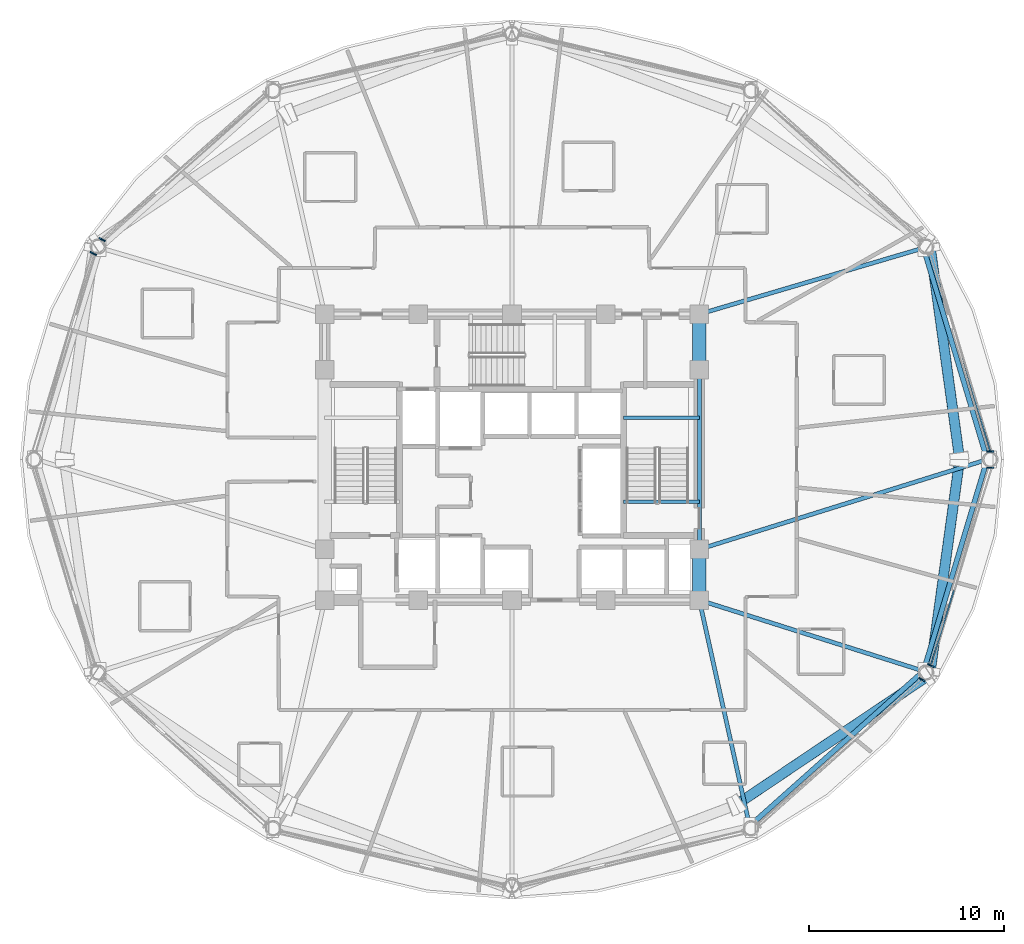
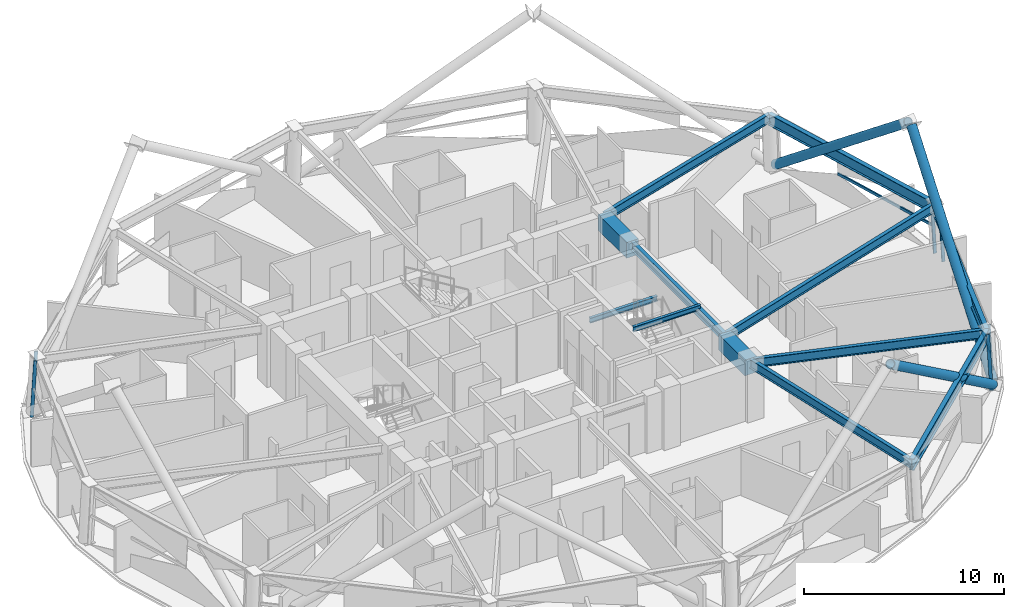
# One storey, part 3 of 13: 12 beams, 11 members, 5 elements without a shape of their own.
"""IFC4 building model written with IfcOpenShell, lengths in metres."""

from ifc_helpers import new_model, si_unit, direction, frame, origin, origin_2d, place, context, subcontext, project, spatial, rectangle, hollow_rectangle, hollow_circle, i_section, extrude, material, layer, layer_set, material_profile, profile_set, type_object, element, aggregate, save


model = new_model("IFC4")

# Units and contexts
model_context = context("Model", 3, precision=1e-05, world=origin(), true_north=direction((0.0, 1.0)))
body_context = subcontext(model_context, "Body", "Model", "MODEL_VIEW")
ifc_project = project(units=[si_unit("LENGTHUNIT", "METRE"), si_unit("AREAUNIT", "SQUARE_METRE"), si_unit("VOLUMEUNIT", "CUBIC_METRE"), si_unit("PLANEANGLEUNIT", "RADIAN"), si_unit("MASSUNIT", "GRAM", prefix="KILO")], contexts=[model_context])

# Site, building, storey
site_placement = place(None, origin())
site = spatial("IfcSite", under=ifc_project, at=site_placement, CompositionType="ELEMENT")
building_placement = place(site_placement, origin())
building = spatial("IfcBuilding", under=site, at=building_placement, Name="Vantalir Tower", CompositionType="ELEMENT")
storey_placement = place(building_placement, frame((0.0, 0.0, 172.199951171875)))
storey = spatial("IfcBuildingStorey", under=building, at=storey_placement, Name="L43", CompositionType="ELEMENT", Elevation=172.199951171875)

# Beams
ifc_material_1 = material(Name="Concrete C60/75", Category="concrete")
ifc_material_profile_1 = material_profile(ifc_material_1, rectangle(XDim=0.699951171875, YDim=0.949951171875, at=origin_2d()), Name="Concrete C60/75")
ifc_profile_set_1 = profile_set([ifc_material_profile_1], Name="Concrete C60/75")
beam_type_1 = type_object("IfcBeamType", Name="BM-CB-700x950", PredefinedType="USERDEFINED", material=ifc_profile_set_1)
beam_1_placement = place(storey_placement, frame((41.10009765625, 17.800048828125, 3.025146484375), z_axis=(0.0, 1.0, 0.0), x_axis=(-1.0, 0.0, 0.0)))
element("IfcBeam", 1, at=beam_1_placement, inside=storey, type_object=beam_type_1, Name="L43 Core Coupling Girder 05", ObjectType="GIRDER", PredefinedType="USERDEFINED", context=body_context, shape_type="SweptSolid", body=[
    extrude(rectangle(XDim=0.699951171875, YDim=0.949951171875, at=origin_2d()), origin(), (0.0, 0.0, 1.0), 2.599853515625),
])
beam_2_placement = place(storey_placement, frame((41.10009765625, 29.60009765625, 3.025146484375), z_axis=(0.0, 1.0, 0.0), x_axis=(-1.0, 0.0, 0.0)))
element("IfcBeam", 2, at=beam_2_placement, inside=storey, type_object=beam_type_1, Name="L43 Core Coupling Girder 07", ObjectType="GIRDER", PredefinedType="USERDEFINED", context=body_context, shape_type="SweptSolid", body=[
    extrude(rectangle(XDim=0.699951171875, YDim=0.949951171875, at=origin_2d()), origin(), (0.0, 0.0, 1.0), 2.849853515625),
])
ifc_material_2 = material(Name="Steel S355", Category="steel")
ifc_material_profile_2 = material_profile(ifc_material_2, i_section(OverallWidth=0.166015625, OverallDepth=0.306884765625, WebThickness=0.006591796875, FlangeThickness=0.01171875, at=origin_2d()), Name="Steel S355")
ifc_profile_set_2 = profile_set([ifc_material_profile_2], Name="Steel S355")
beam_type_2 = type_object("IfcBeamType", Name="BM-JS-305x165", PredefinedType="JOIST", material=ifc_profile_set_2)
for number, where, z_axis, x_axis, name in (
    (3, (37.2099609375, 22.8349609375, 3.595947265625), (1.0, 0.0, 0.0), (0.0, 1.0, 0.0), "L44 Stair ST2 Well Nosing Trimmer Beam"),
    (4, (37.2099609375, 27.14501953125, 1.52197265625), (1.0, 0.0, 0.0), (0.0, 1.0, 0.0), "L43 Stair ST2 Half-Landing Support Beam"),
):
    element("IfcBeam", number, at=place(storey_placement, frame(where, z_axis=z_axis, x_axis=x_axis)), inside=storey, type_object=beam_type_2, Name=name, PredefinedType="JOIST", context=body_context, shape_type="SweptSolid", body=[
        extrude(i_section(OverallWidth=0.166015625, OverallDepth=0.306884765625, WebThickness=0.006591796875, FlangeThickness=0.01171875, at=origin_2d()), origin(), (0.0, 0.0, 1.0), 3.89013671875),
    ])
ifc_material_profile_3 = material_profile(ifc_material_2, i_section(OverallWidth=0.2109375, OverallDepth=0.5390625, WebThickness=0.01171875, FlangeThickness=0.018798828125, at=origin_2d()), Name="Steel S355")
ifc_profile_set_3 = profile_set([ifc_material_profile_3], Name="Steel S355")
beam_type_3 = type_object("IfcBeamType", Name="BM-RB-533x210", PredefinedType="BEAM", material=ifc_profile_set_3)
beam_3_placement = place(storey_placement, frame((41.10009765625, 20.39990234375, 3.22998046875), z_axis=(0.0, 1.0, 0.0), x_axis=(-1.0, 0.0, 0.0)))
element("IfcBeam", 5, at=beam_3_placement, inside=storey, type_object=beam_type_3, Name="L43 Core Coupling Girder 06", PredefinedType="BEAM", context=body_context, shape_type="SweptSolid", body=[
    extrude(i_section(OverallWidth=0.2109375, OverallDepth=0.5390625, WebThickness=0.01171875, FlangeThickness=0.018798828125, at=origin_2d()), origin(), (0.0, 0.0, 1.0), 9.2001953125),
])
beam_4_placement = place(storey_placement, frame((55.85009765625, 25.0, 3.22998046875), z_axis=(-0.954650767625, -0.297727915843, 0.0), x_axis=(0.297727915843, -0.954650767625, 0.0)))
element("IfcBeam", 6, at=beam_4_placement, inside=storey, type_object=beam_type_3, Name="L43 Radial Floor Beam 01", PredefinedType="BEAM", context=body_context, shape_type="SweptSolid", body=[
    extrude(i_section(OverallWidth=0.2109375, OverallDepth=0.5390625, WebThickness=0.01171875, FlangeThickness=0.018798828125, at=origin_2d()), origin(), (0.0, 0.0, 1.0), 15.45068359375),
])
beam_5_placement = place(storey_placement, frame((52.587890625, 35.841064453125, 3.22998046875), z_axis=(-0.959085906507, -0.283115213189, 0.0), x_axis=(0.283115213189, -0.959085906507, 0.0)))
element("IfcBeam", 7, at=beam_5_placement, inside=storey, type_object=beam_type_3, Name="L43 Radial Floor Beam 02", PredefinedType="BEAM", context=body_context, shape_type="SweptSolid", body=[
    extrude(i_section(OverallWidth=0.2109375, OverallDepth=0.5390625, WebThickness=0.01171875, FlangeThickness=0.018798828125, at=origin_2d()), origin(), (0.0, 0.0, 1.0), 11.977783203125),
])
beam_6_placement = place(storey_placement, frame((43.675048828125, 6.222900390625, 3.22998046875), z_axis=(-0.217111361055, 0.976146841874, 0.0), x_axis=(-0.976146841874, -0.217111361055, 0.0)))
element("IfcBeam", 8, at=beam_6_placement, inside=storey, type_object=beam_type_3, Name="L43 Radial Floor Beam 11", PredefinedType="BEAM", context=body_context, shape_type="SweptSolid", body=[
    extrude(i_section(OverallWidth=0.2109375, OverallDepth=0.5390625, WebThickness=0.01171875, FlangeThickness=0.018798828125, at=origin_2d()), origin(), (0.0, 0.0, 1.0), 11.860107421875),
])
beam_7_placement = place(storey_placement, frame((52.587890625, 14.158935546875, 3.22998046875), z_axis=(-0.953263090273, 0.30214149123, 0.0), x_axis=(-0.30214149123, -0.953263090273, 0.0)))
element("IfcBeam", 9, at=beam_7_placement, inside=storey, type_object=beam_type_3, Name="L43 Radial Floor Beam 12", PredefinedType="BEAM", context=body_context, shape_type="SweptSolid", body=[
    extrude(i_section(OverallWidth=0.2109375, OverallDepth=0.5390625, WebThickness=0.01171875, FlangeThickness=0.018798828125, at=origin_2d()), origin(), (0.0, 0.0, 1.0), 12.051025390625),
])
ifc_material_3 = material(Name="Steel S460", Category="steel")
ifc_material_profile_4 = material_profile(ifc_material_3, i_section(OverallWidth=0.256103515625, OverallDepth=0.693115234375, WebThickness=0.014404296875, FlangeThickness=0.023681640625, at=origin_2d()), Name="Steel S460")
ifc_profile_set_4 = profile_set([ifc_material_profile_4], Name="Steel S460")
beam_type_4 = type_object("IfcBeamType", Name="BM-RG-686x254", PredefinedType="USERDEFINED", material=ifc_profile_set_4)
beam_8_placement = place(storey_placement, frame((55.85009765625, 25.0, 3.154052734375), z_axis=(-0.288149046466, 0.957585571644, 0.0), x_axis=(-0.957585571644, -0.288149046466, 0.0)))
element("IfcBeam", 10, at=beam_8_placement, inside=storey, type_object=beam_type_4, Name="L43 Circumferential Ring Girder 01", ObjectType="GIRDER", PredefinedType="USERDEFINED", context=body_context, shape_type="SweptSolid", body=[
    extrude(i_section(OverallWidth=0.256103515625, OverallDepth=0.693115234375, WebThickness=0.014404296875, FlangeThickness=0.023681640625, at=origin_2d()), origin(), (0.0, 0.0, 1.0), 11.3212890625),
])
beam_9_placement = place(storey_placement, frame((43.675048828125, 6.222900390625, 3.154052734375), z_axis=(0.746846959963, 0.664995953668, 0.0), x_axis=(-0.664995953668, 0.746846959963, 0.0)))
element("IfcBeam", 11, at=beam_9_placement, inside=storey, type_object=beam_type_4, Name="L43 Circumferential Ring Girder 11", ObjectType="GIRDER", PredefinedType="USERDEFINED", context=body_context, shape_type="SweptSolid", body=[
    extrude(i_section(OverallWidth=0.256103515625, OverallDepth=0.693115234375, WebThickness=0.014404296875, FlangeThickness=0.023681640625, at=origin_2d()), origin(), (0.0, 0.0, 1.0), 11.93408203125),
])
beam_10_placement = place(storey_placement, frame((52.587890625, 14.158935546875, 3.154052734375), z_axis=(0.288149046466, 0.957585571644, 0.0), x_axis=(-0.957585571644, 0.288149046466, 0.0)))
element("IfcBeam", 12, at=beam_10_placement, inside=storey, type_object=beam_type_4, Name="L43 Circumferential Ring Girder 12", ObjectType="GIRDER", PredefinedType="USERDEFINED", context=body_context, shape_type="SweptSolid", body=[
    extrude(i_section(OverallWidth=0.256103515625, OverallDepth=0.693115234375, WebThickness=0.014404296875, FlangeThickness=0.023681640625, at=origin_2d()), origin(), (0.0, 0.0, 1.0), 11.3212890625),
])

# Curtain wall, member
ifc_material_4 = material(Name="Champagne-silver PVDF aluminium and double-silver Low-E glass", Category="aluminium")
ifc_layer = layer(ifc_material_4, 0.199951171875)
ifc_layer_set = layer_set([ifc_layer], Name="Champagne-silver PVDF aluminium and double-silver Low-E glass")
curtain_wall_type = type_object("IfcCurtainWallType", Name="CW-DIAMOND-Z2", PredefinedType="USERDEFINED", material=ifc_layer_set)
curtain_wall_1_placement = place(storey_placement, origin())
curtain_wall_1 = element("IfcCurtainWall", 13, at=curtain_wall_1_placement, inside=storey, type_object=curtain_wall_type, Name="L43 Quilted Pyramid-Diamond Curtain Wall S01", ObjectType="UNITISED CURTAIN WALL", PredefinedType="USERDEFINED")
ifc_material_5 = material(Name="Champagne-silver PVDF aluminium 6063-T6", Category="aluminium")
ifc_material_profile_5 = material_profile(ifc_material_5, hollow_rectangle(XDim=0.074951171875, YDim=0.179931640625, WallThickness=0.00390625, at=origin_2d()), Name="Champagne-silver PVDF aluminium 6063-T6")
ifc_profile_set_5 = profile_set([ifc_material_profile_5], Name="Champagne-silver PVDF aluminium 6063-T6")
member_type_1 = type_object("IfcMemberType", Name="CWM-180x75", PredefinedType="MULLION", material=ifc_profile_set_5)
member_1_placement = place(storey_placement, frame((56.09912109375, 25.4208984375, 0.045166015625), z_axis=(-0.054476156984, 0.0, 0.998515071654), x_axis=(0.0, -1.0, 0.0)))
member_1 = element("IfcMember", 14, at=member_1_placement, type_object=member_type_1, Name="CW-L43-S01 Mullion 1", PredefinedType="MULLION", context=body_context, shape_type="SweptSolid", body=[
    extrude(hollow_rectangle(XDim=0.074951171875, YDim=0.179931640625, WallThickness=0.00390625, at=origin_2d()), origin(), (0.0, 0.0, 1.0), 3.4150390625),
])

curtain_wall_2_placement = place(storey_placement, origin())
curtain_wall_2 = element("IfcCurtainWall", 15, at=curtain_wall_2_placement, inside=storey, type_object=curtain_wall_type, Name="L43 Quilted Pyramid-Diamond Curtain Wall S05", ObjectType="UNITISED CURTAIN WALL", PredefinedType="USERDEFINED")
member_2_placement = place(storey_placement, frame((10.4150390625, 36.31201171875, 0.045166015625), z_axis=(0.047116286119, -0.024308857785, 0.998593578497), x_axis=(0.458505511118, 0.888691564197, 0.0)))
member_2 = element("IfcMember", 16, at=member_2_placement, type_object=member_type_1, Name="CW-L43-S05 Mullion 2", PredefinedType="MULLION", context=body_context, shape_type="SweptSolid", body=[
    extrude(hollow_rectangle(XDim=0.074951171875, YDim=0.179931640625, WallThickness=0.00390625, at=origin_2d()), origin(), (0.0, 0.0, 1.0), 3.414794921875),
])
aggregate(curtain_wall_2, [member_2])

curtain_wall_3_placement = place(storey_placement, origin())
curtain_wall_3 = element("IfcCurtainWall", 17, at=curtain_wall_3_placement, inside=storey, type_object=curtain_wall_type, Name="L43 Quilted Pyramid-Diamond Curtain Wall S06", ObjectType="UNITISED CURTAIN WALL", PredefinedType="USERDEFINED")
member_3_placement = place(storey_placement, frame((9.9599609375, 35.597900390625, 0.045166015625), z_axis=(0.047187623681, -0.024308775836, 0.998590212043), x_axis=(0.457956589674, 0.888974556427, 0.0)))
member_3 = element("IfcMember", 18, at=member_3_placement, type_object=member_type_1, Name="CW-L43-S06 Mullion 1", PredefinedType="MULLION", context=body_context, shape_type="SweptSolid", body=[
    extrude(hollow_rectangle(XDim=0.074951171875, YDim=0.179931640625, WallThickness=0.00390625, at=origin_2d()), origin(), (0.0, 0.0, 1.0), 3.414794921875),
])
aggregate(curtain_wall_3, [member_3])

curtain_wall_4_placement = place(storey_placement, origin())
curtain_wall_4 = element("IfcCurtainWall", 19, at=curtain_wall_4_placement, inside=storey, type_object=curtain_wall_type, Name="L43 Quilted Pyramid-Diamond Curtain Wall S11", ObjectType="UNITISED CURTAIN WALL", PredefinedType="USERDEFINED")
member_4_placement = place(storey_placement, frame((52.5849609375, 13.68798828125, 0.045166015625), z_axis=(-0.047116286119, 0.024308857785, 0.998593578497), x_axis=(-0.458505511118, -0.888691564197, 0.0)))
member_4 = element("IfcMember", 20, at=member_4_placement, type_object=member_type_1, Name="CW-L43-S11 Mullion 2", PredefinedType="MULLION", context=body_context, shape_type="SweptSolid", body=[
    extrude(hollow_rectangle(XDim=0.074951171875, YDim=0.179931640625, WallThickness=0.00390625, at=origin_2d()), origin(), (0.0, 0.0, 1.0), 3.414794921875),
])
aggregate(curtain_wall_4, [member_4])

# Curtain wall, members
curtain_wall_5_placement = place(storey_placement, origin())
curtain_wall_5 = element("IfcCurtainWall", 21, at=curtain_wall_5_placement, inside=storey, type_object=curtain_wall_type, Name="L43 Quilted Pyramid-Diamond Curtain Wall S12", ObjectType="UNITISED CURTAIN WALL", PredefinedType="USERDEFINED")
member_5_placement = place(storey_placement, frame((53.0400390625, 14.402099609375, 0.045166015625), z_axis=(-0.047187623681, 0.024308775836, 0.998590212043), x_axis=(-0.457956589674, -0.888974556427, 0.0)))
member_5 = element("IfcMember", 22, at=member_5_placement, type_object=member_type_1, Name="CW-L43-S12 Mullion 1", PredefinedType="MULLION", context=body_context, shape_type="SweptSolid", body=[
    extrude(hollow_rectangle(XDim=0.074951171875, YDim=0.179931640625, WallThickness=0.00390625, at=origin_2d()), origin(), (0.0, 0.0, 1.0), 3.414794921875),
])
member_6_placement = place(storey_placement, frame((56.09912109375, 24.5791015625, 0.045166015625), z_axis=(-0.054476156984, 0.0, 0.998515071654), x_axis=(0.0, -1.0, 0.0)))
member_6 = element("IfcMember", 23, at=member_6_placement, type_object=member_type_1, Name="CW-L43-S12 Mullion 2", PredefinedType="MULLION", context=body_context, shape_type="SweptSolid", body=[
    extrude(hollow_rectangle(XDim=0.074951171875, YDim=0.179931640625, WallThickness=0.00390625, at=origin_2d()), origin(), (0.0, 0.0, 1.0), 3.4150390625),
])

# Member
ifc_material_profile_6 = material_profile(ifc_material_5, hollow_rectangle(XDim=0.074951171875, YDim=0.159912109375, WallThickness=0.00390625, at=origin_2d()), Name="Champagne-silver PVDF aluminium 6063-T6")
ifc_profile_set_6 = profile_set([ifc_material_profile_6], Name="Champagne-silver PVDF aluminium 6063-T6")
member_type_2 = type_object("IfcMemberType", Name="CWT-160x75", PredefinedType="USERDEFINED", material=ifc_profile_set_6)
member_7_placement = place(storey_placement, frame((56.006103515625, 25.4208984375, 1.75), z_axis=(-0.284397405214, 0.958706480581, 0.0), x_axis=(-0.958706480581, -0.284397405214, 0.0)))
member_7 = element("IfcMember", 24, at=member_7_placement, type_object=member_type_2, Name="CW-L43-S01 Pyramid Fold Ridge Transom", ObjectType="TRANSOM", PredefinedType="USERDEFINED", context=body_context, shape_type="SweptSolid", body=[
    extrude(hollow_rectangle(XDim=0.074951171875, YDim=0.159912109375, WallThickness=0.00390625, at=origin_2d()), origin(), (0.0, 0.0, 1.0), 6.56201171875),
])

aggregate(curtain_wall_1, [member_1, member_7])

member_8_placement = place(storey_placement, frame((52.958984375, 14.444091796875, 1.75), z_axis=(0.2936634622, 0.955908871686, 0.0), x_axis=(-0.955908871686, 0.2936634622, 0.0)))
member_8 = element("IfcMember", 25, at=member_8_placement, type_object=member_type_2, Name="CW-L43-S12 Pyramid Fold Ridge Transom", ObjectType="TRANSOM", PredefinedType="USERDEFINED", context=body_context, shape_type="SweptSolid", body=[
    extrude(hollow_rectangle(XDim=0.074951171875, YDim=0.159912109375, WallThickness=0.00390625, at=origin_2d()), origin(), (0.0, 0.0, 1.0), 4.021240234375),
])

aggregate(curtain_wall_5, [member_5, member_6, member_8])

# Members
ifc_material_profile_7 = material_profile(ifc_material_3, hollow_circle(Radius=0.260009765625, WallThickness=0.0380859375, at=origin_2d()), Name="Steel S460")
ifc_profile_set_7 = profile_set([ifc_material_profile_7], Name="Steel S460")
member_type_3 = type_object("IfcMemberType", Name="MEM-DB-520x38", PredefinedType="BRACE", material=ifc_profile_set_7)
for number, where, z_axis, x_axis, name in (
    (26, (52.93701171875, 35.847900390625, 0.217041015625), (0.107568267743, -0.776540616241, 0.620816993246), (0.99054167511, 0.137212207436, 0.0), "L43 Perimeter S460 Diagrid Brace R04R"),
    (27, (52.93701171875, 14.152099609375, 0.217041015625), (0.107568267743, 0.776540616241, 0.620816993246), (-0.99054167511, 0.137212207436, 0.0), "L43 Perimeter S460 Diagrid Brace R34L"),
):
    element("IfcMember", number, at=place(storey_placement, frame(where, z_axis=z_axis, x_axis=x_axis)), inside=storey, type_object=member_type_3, Name=name, PredefinedType="BRACE", context=body_context, shape_type="SweptSolid", body=[
        extrude(hollow_circle(Radius=0.260009765625, WallThickness=0.0380859375, at=origin_2d()), origin(), (0.0, 0.0, 1.0), 13.74951171875),
    ])
member_9_placement = place(storey_placement, frame((52.76611328125, 13.882080078125, 0.2099609375), z_axis=(-0.6685604634, -0.449535569538, 0.592405839352), x_axis=(0.557985872805, -0.829850447822, 0.0)))
element("IfcMember", 28, at=member_9_placement, inside=storey, type_object=member_type_3, Name="L43 Perimeter S460 Diagrid Brace R34R", PredefinedType="BRACE", context=body_context, shape_type="SweptSolid", body=[
    extrude(hollow_circle(Radius=0.260009765625, WallThickness=0.0380859375, at=origin_2d()), origin(), (0.0, 0.0, 1.0), 14.432861328125),
])

save(model, "model.ifc")
